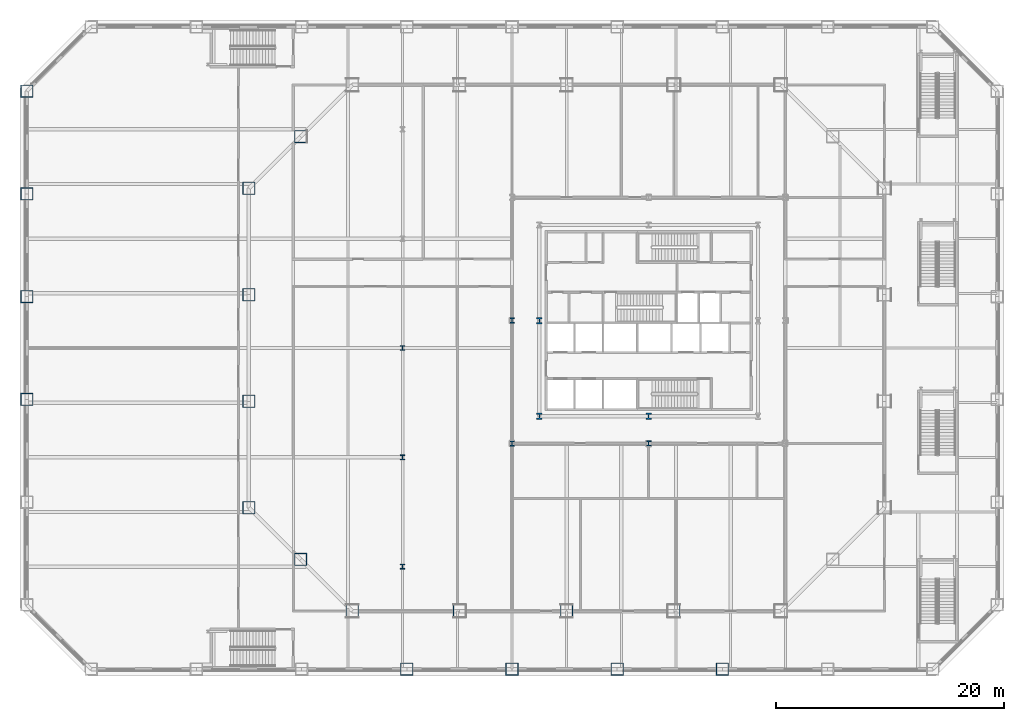
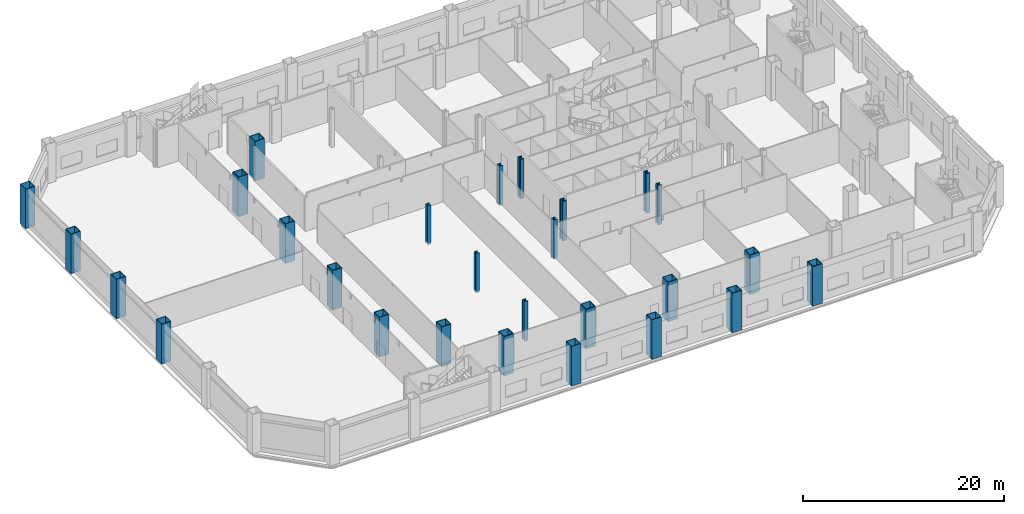
# One storey, part 2 of 26: 27 columns.
"""IFC4 building model written with IfcOpenShell, lengths in metres."""

from ifc_helpers import new_model, si_unit, direction, frame, origin, origin_2d, place, context, subcontext, project, spatial, hollow_rectangle, i_section, extrude, material, material_profile, profile_set, type_object, element, save


model = new_model("IFC4")

# Units and contexts
model_context = context("Model", 3, precision=1e-05, world=origin(), true_north=direction((0.0, 1.0)))
body_context = subcontext(model_context, "Body", "Model", "MODEL_VIEW")
ifc_project = project(units=[si_unit("LENGTHUNIT", "METRE"), si_unit("AREAUNIT", "SQUARE_METRE"), si_unit("VOLUMEUNIT", "CUBIC_METRE"), si_unit("PLANEANGLEUNIT", "RADIAN"), si_unit("MASSUNIT", "GRAM", prefix="KILO")], contexts=[model_context])

# Site, building, storey
site_placement = place(None, origin())
site = spatial("IfcSite", under=ifc_project, at=site_placement, CompositionType="ELEMENT")
building_placement = place(site_placement, origin())
building = spatial("IfcBuilding", under=site, at=building_placement, Name="Cairn Pilgrim Tower", CompositionType="ELEMENT")
storey_placement = place(building_placement, frame((0.0, 0.0, 21.0)))
storey = spatial("IfcBuildingStorey", under=building, at=storey_placement, Name="L03", CompositionType="ELEMENT", Elevation=21.0)

# Columns
ifc_material = material(Name="Structural steel S460M", Category="steel")
ifc_material_profile_1 = material_profile(ifc_material, hollow_rectangle(XDim=1.10009765625, YDim=1.10009765625, WallThickness=0.06005859375, at=origin_2d()), Name="BOX 1100x1100x60")
ifc_profile_set_1 = profile_set([ifc_material_profile_1], Name="Structural steel S460M")
column_type_1 = type_object("IfcColumnType", Name="BOX 1100x1100x60", PredefinedType="COLUMN", material=ifc_profile_set_1)
for number, where, z_axis, x_axis, name in (
    (1, (-18.8271484375, -23.10009765625, -0.199951171875), (0.0, 0.0, 1.0), (1.0, 0.0, 0.0), "PC1-S1"),
    (2, (-9.41357421875, -23.10009765625, -0.199951171875), (0.0, 0.0, 1.0), (1.0, 0.0, 0.0), "PC1-S2"),
    (3, (0.0, -23.10009765625, -0.199951171875), (0.0, 0.0, 1.0), (1.0, 0.0, 0.0), "PC1-S3"),
    (4, (9.41357421875, -23.10009765625, -0.199951171875), (0.0, 0.0, 1.0), (1.0, 0.0, 0.0), "PC1-S4"),
    (5, (-23.363525390625, 18.563720703125, -0.199951171875), (0.0, 0.0, 1.0), (1.0, 0.0, 0.0), "PC1-NW2"),
    (6, (-27.89990234375, 14.027099609375, -0.199951171875), (0.0, 0.0, 1.0), (1.0, 0.0, 0.0), "PC1-W1"),
    (7, (-27.89990234375, 4.67578125, -0.199951171875), (0.0, 0.0, 1.0), (1.0, 0.0, 0.0), "PC1-W2"),
    (8, (-27.89990234375, -4.67578125, -0.199951171875), (0.0, 0.0, 1.0), (1.0, 0.0, 0.0), "PC1-W3"),
    (9, (-27.89990234375, -14.027099609375, -0.199951171875), (0.0, 0.0, 1.0), (1.0, 0.0, 0.0), "PC1-SW1"),
    (10, (-23.363525390625, -18.563720703125, -0.199951171875), (0.0, 0.0, 1.0), (1.0, 0.0, 0.0), "PC1-SW2"),
):
    element("IfcColumn", number, at=place(storey_placement, frame(where, z_axis=z_axis, x_axis=x_axis)), inside=storey, type_object=column_type_1, Name=name, PredefinedType="COLUMN", context=body_context, shape_type="SweptSolid", body=[
        extrude(hollow_rectangle(XDim=1.10009765625, YDim=1.10009765625, WallThickness=0.06005859375, at=origin_2d()), origin(), (0.0, 0.0, 1.0), 4.800048828125),
    ])
ifc_material_profile_2 = material_profile(ifc_material, i_section(OverallWidth=0.4541015625, OverallDepth=0.569091796875, WebThickness=0.077880859375, FlangeThickness=0.125, FilletRadius=0.014892578125, at=origin_2d()), Name="HD 400x1086")
ifc_profile_set_2 = profile_set([ifc_material_profile_2], Name="Structural steel S460M")
column_type_2 = type_object("IfcColumnType", Name="HD 400x1086", PredefinedType="COLUMN", material=ifc_profile_set_2)
for number, where, z_axis, x_axis, name in (
    (11, (-2.39990234375, -6.0, -0.199951171875), (0.0, 0.0, 1.0), (1.0, 0.0, 0.0), "KC-1"),
    (12, (7.199951171875, -6.0, -0.199951171875), (0.0, 0.0, 1.0), (1.0, 0.0, 0.0), "KC-2"),
    (13, (-2.39990234375, 2.39990234375, -0.199951171875), (0.0, 0.0, 1.0), (1.0, 0.0, 0.0), "KC-4"),
):
    element("IfcColumn", number, at=place(storey_placement, frame(where, z_axis=z_axis, x_axis=x_axis)), inside=storey, type_object=column_type_2, Name=name, PredefinedType="COLUMN", context=body_context, shape_type="SweptSolid", body=[
        extrude(i_section(OverallWidth=0.4541015625, OverallDepth=0.569091796875, WebThickness=0.077880859375, FlangeThickness=0.125, FilletRadius=0.014892578125, at=origin_2d()), origin(), (0.0, 0.0, 1.0), 4.800048828125),
    ])
ifc_material_profile_3 = material_profile(ifc_material, i_section(OverallWidth=0.408935546875, OverallDepth=0.425048828125, WebThickness=0.03271484375, FlangeThickness=0.052490234375, FilletRadius=0.014892578125, at=origin_2d()), Name="HD 400x421")
ifc_profile_set_3 = profile_set([ifc_material_profile_3], Name="Structural steel S460M")
column_type_3 = type_object("IfcColumnType", Name="HD 400x421", PredefinedType="COLUMN", material=ifc_profile_set_3)
for number, where, z_axis, x_axis, name in (
    (14, (-14.39990234375, -19.199951171875, -0.199951171875), (0.0, 0.0, 1.0), (1.0, 0.0, 0.0), "WC-WW-4"),
    (15, (-14.39990234375, -9.60009765625, -0.199951171875), (0.0, 0.0, 1.0), (1.0, 0.0, 0.0), "WC-WW-2"),
    (16, (-14.39990234375, 0.0, -0.199951171875), (0.0, 0.0, 1.0), (1.0, 0.0, 0.0), "WC-WW+0"),
):
    element("IfcColumn", number, at=place(storey_placement, frame(where, z_axis=z_axis, x_axis=x_axis)), inside=storey, type_object=column_type_3, Name=name, PredefinedType="COLUMN", context=body_context, shape_type="SweptSolid", body=[
        extrude(i_section(OverallWidth=0.408935546875, OverallDepth=0.425048828125, WebThickness=0.03271484375, FlangeThickness=0.052490234375, FilletRadius=0.014892578125, at=origin_2d()), origin(), (0.0, 0.0, 1.0), 4.800048828125),
    ])
ifc_material_profile_4 = material_profile(ifc_material, i_section(OverallWidth=0.424072265625, OverallDepth=0.47412109375, WebThickness=0.047607421875, FlangeThickness=0.0771484375, FilletRadius=0.014892578125, at=origin_2d()), Name="HD 400x634")
ifc_profile_set_4 = profile_set([ifc_material_profile_4], Name="Structural steel S460M")
column_type_4 = type_object("IfcColumnType", Name="HD 400x634", PredefinedType="COLUMN", material=ifc_profile_set_4)
for number, where, z_axis, x_axis, name in (
    (17, (-4.800048828125, -8.39990234375, -0.199951171875), (0.0, 0.0, 1.0), (1.0, 0.0, 0.0), "IC-1"),
    (18, (7.199951171875, -8.39990234375, -0.199951171875), (0.0, 0.0, 1.0), (1.0, 0.0, 0.0), "IC-2"),
    (19, (-4.800048828125, 2.39990234375, -0.199951171875), (0.0, 0.0, 1.0), (1.0, 0.0, 0.0), "IC-4"),
):
    element("IfcColumn", number, at=place(storey_placement, frame(where, z_axis=z_axis, x_axis=x_axis)), inside=storey, type_object=column_type_4, Name=name, PredefinedType="COLUMN", context=body_context, shape_type="SweptSolid", body=[
        extrude(i_section(OverallWidth=0.424072265625, OverallDepth=0.47412109375, WebThickness=0.047607421875, FlangeThickness=0.0771484375, FilletRadius=0.014892578125, at=origin_2d()), origin(), (0.0, 0.0, 1.0), 4.800048828125),
    ])
ifc_material_profile_5 = material_profile(ifc_material, hollow_rectangle(XDim=1.10009765625, YDim=1.10009765625, WallThickness=0.06005859375, at=origin_2d()), Name="BOX 1100x1100x60")
ifc_profile_set_5 = profile_set([ifc_material_profile_5], Name="Structural steel S460M")
column_type_5 = type_object("IfcColumnType", Name="PILOTIS CFT 1100", PredefinedType="COLUMN", material=ifc_profile_set_5)
for number, where, z_axis, x_axis, name in (
    (20, (-14.037841796875, -28.199951171875, 0.0), (0.0, 0.0, 1.0), (1.0, 0.0, 0.0), "PILOTIS PL-S4"),
    (21, (-4.800048828125, -28.199951171875, 0.0), (0.0, 0.0, 1.0), (1.0, 0.0, 0.0), "PILOTIS PL-S5"),
    (22, (4.43798828125, -28.199951171875, 0.0), (0.0, 0.0, 1.0), (1.0, 0.0, 0.0), "PILOTIS PL-S6"),
    (23, (13.67578125, -28.199951171875, 0.0), (0.0, 0.0, 1.0), (1.0, 0.0, 0.0), "PILOTIS PL-S7"),
    (24, (-47.39990234375, 22.551513671875, 0.0), (0.0, 0.0, 1.0), (1.0, 0.0, 0.0), "PILOTIS PL-W1"),
    (25, (-47.39990234375, 13.531005859375, 0.0), (0.0, 0.0, 1.0), (1.0, 0.0, 0.0), "PILOTIS PL-W2"),
    (26, (-47.39990234375, 4.51025390625, 0.0), (0.0, 0.0, 1.0), (1.0, 0.0, 0.0), "PILOTIS PL-W3"),
    (27, (-47.39990234375, -4.51025390625, 0.0), (0.0, 0.0, 1.0), (1.0, 0.0, 0.0), "PILOTIS PL-W4"),
):
    element("IfcColumn", number, at=place(storey_placement, frame(where, z_axis=z_axis, x_axis=x_axis)), inside=storey, type_object=column_type_5, Name=name, PredefinedType="COLUMN", context=body_context, shape_type="SweptSolid", body=[
        extrude(hollow_rectangle(XDim=1.10009765625, YDim=1.10009765625, WallThickness=0.06005859375, at=origin_2d()), origin(), (0.0, 0.0, 1.0), 4.800048828125),
    ])

save(model, "model.ifc")
